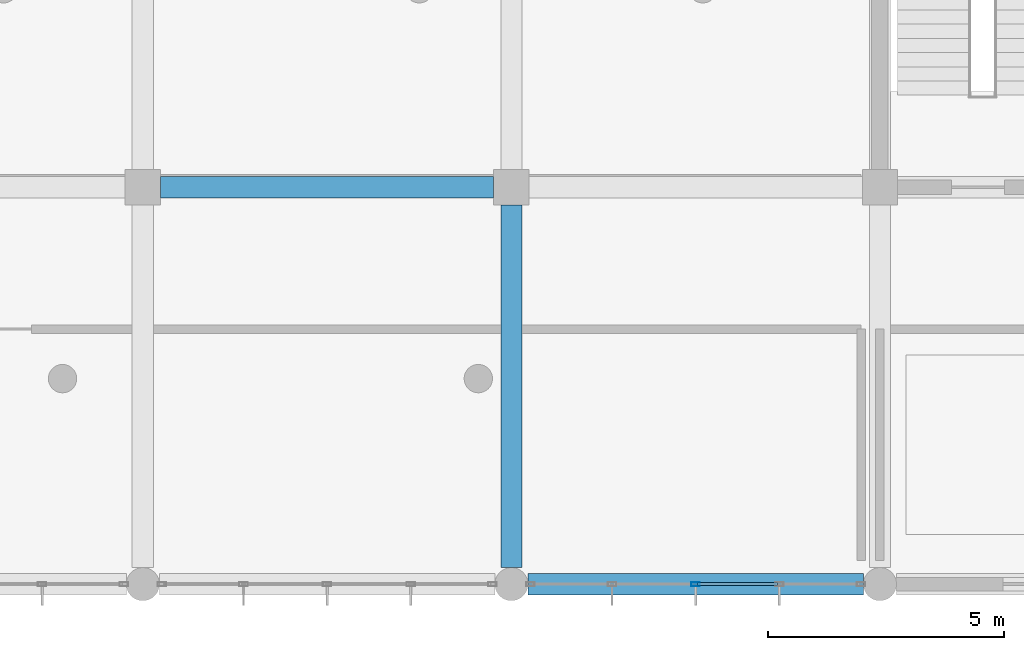
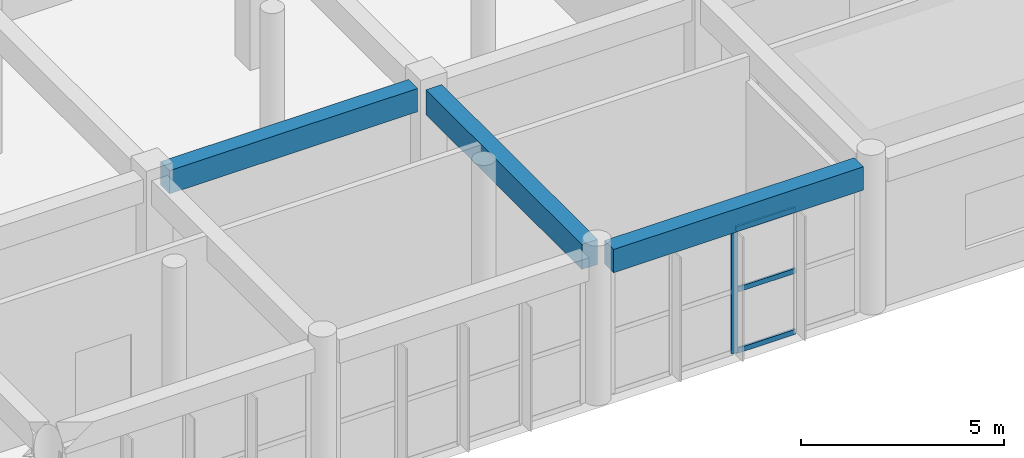
# One storey, part 11 of 167: 4 members, 3 beams, 1 element without a shape of its own.
"""IFC4 building model written with IfcOpenShell, lengths in metres."""

from ifc_helpers import new_model, si_unit, direction, frame, origin, origin_2d, place, context, subcontext, project, spatial, rectangle, hollow_rectangle, extrude, material, layer, layer_set, material_profile, profile_set, type_object, element, aggregate, save


model = new_model("IFC4")

# Units and contexts
model_context = context("Model", 3, precision=1e-05, world=origin(), true_north=direction((0.0, 1.0)))
body_context = subcontext(model_context, "Body", "Model", "MODEL_VIEW")
ifc_project = project(units=[si_unit("LENGTHUNIT", "METRE"), si_unit("AREAUNIT", "SQUARE_METRE"), si_unit("VOLUMEUNIT", "CUBIC_METRE"), si_unit("PLANEANGLEUNIT", "RADIAN"), si_unit("MASSUNIT", "GRAM", prefix="KILO")], contexts=[model_context])

# Site, building, storey
site_placement = place(None, origin())
site = spatial("IfcSite", under=ifc_project, at=site_placement, CompositionType="ELEMENT")
building_placement = place(site_placement, origin())
building = spatial("IfcBuilding", under=site, at=building_placement, Name="Zizhar Promenade General Hospital", CompositionType="ELEMENT")
storey_placement = place(building_placement, frame((0.0, 0.0, 9.60009765625)))
storey = spatial("IfcBuildingStorey", under=building, at=storey_placement, Name="L02", CompositionType="ELEMENT", Elevation=9.60009765625)

# Beams
ifc_material_1 = material(Name="Concrete C35/45", Category="concrete")
ifc_material_profile_1 = material_profile(ifc_material_1, rectangle(XDim=0.449951171875, YDim=0.699951171875, at=origin_2d()))
ifc_profile_set_1 = profile_set([ifc_material_profile_1], Name="Concrete C35/45")
beam_type_1 = type_object("IfcBeamType", Name="BM-RC-450x700", PredefinedType="BEAM", material=ifc_profile_set_1)
beam_1_placement = place(storey_placement, frame((31.574951171875, 8.39990234375, 4.119873046875), z_axis=(1.0, 0.0, 0.0), x_axis=(0.0, 1.0, 0.0)))
element("IfcBeam", 1, at=beam_1_placement, inside=storey, type_object=beam_type_1, Name="Grid Beam X L02 (4-1)", PredefinedType="BEAM", context=body_context, shape_type="SweptSolid", body=[
    extrude(rectangle(XDim=0.449951171875, YDim=0.699951171875, at=origin_2d()), origin(), (0.0, 0.0, 1.0), 7.050048828125),
])
beam_2_placement = place(storey_placement, frame((39.35009765625, 0.0, 4.119873046875), z_axis=(1.0, 0.0, 0.0), x_axis=(0.0, 1.0, 0.0)))
element("IfcBeam", 2, at=beam_2_placement, inside=storey, type_object=beam_type_1, Name="Grid Beam X L02 (5-0)", PredefinedType="BEAM", context=body_context, shape_type="SweptSolid", body=[
    extrude(rectangle(XDim=0.449951171875, YDim=0.699951171875, at=origin_2d()), origin(), (0.0, 0.0, 1.0), 7.099853515625),
])
ifc_material_2 = material(Name="Concrete C35/45", Category="concrete")
ifc_material_profile_2 = material_profile(ifc_material_2, rectangle(XDim=0.449951171875, YDim=0.75, at=origin_2d()))
ifc_profile_set_2 = profile_set([ifc_material_profile_2], Name="Concrete C35/45")
beam_type_2 = type_object("IfcBeamType", Name="BM-RC-450x750", PredefinedType="BEAM", material=ifc_profile_set_2)
beam_3_placement = place(storey_placement, frame((39.0, 0.35009765625, 4.094970703125), z_axis=(0.0, 1.0, 0.0), x_axis=(-1.0, 0.0, 0.0)))
element("IfcBeam", 3, at=beam_3_placement, inside=storey, type_object=beam_type_2, Name="Grid Beam Y L02 (5-0)", PredefinedType="BEAM", context=body_context, shape_type="SweptSolid", body=[
    extrude(rectangle(XDim=0.449951171875, YDim=0.75, at=origin_2d()), origin(), (0.0, 0.0, 1.0), 7.6748046875),
])

# Curtain wall, members
ifc_material_3 = material(Name="Anodised aluminium 6063-T6 and low-E glass", Category="aluminium")
ifc_layer = layer(ifc_material_3, 0.159912109375)
ifc_layer_set = layer_set([ifc_layer], Name="Anodised aluminium 6063-T6 and low-E glass")
curtain_wall_type = type_object("IfcCurtainWallType", Name="CW-DT-MOD1", PredefinedType="NOTDEFINED", material=ifc_layer_set)
curtain_wall_placement = place(storey_placement, origin())
curtain_wall = element("IfcCurtainWall", 4, at=curtain_wall_placement, inside=storey, type_object=curtain_wall_type, Name="Riverfront Clinical Curtain Wall L02-4", PredefinedType="NOTDEFINED")
ifc_material_4 = material(Name="Anodised aluminium 6063-T6", Category="aluminium")
ifc_material_profile_3 = material_profile(ifc_material_4, hollow_rectangle(XDim=0.080078125, YDim=0.179931640625, WallThickness=0.0048828125, at=origin_2d()))
ifc_profile_set_3 = profile_set([ifc_material_profile_3], Name="Anodised aluminium 6063-T6")
member_type_1 = type_object("IfcMemberType", Name="CWM-ALU-180x80", PredefinedType="MULLION", material=ifc_profile_set_3)
member_1_placement = place(storey_placement, frame((42.89990234375, 0.0, 0.0), z_axis=(0.0, 0.0, 1.0), x_axis=(0.0, -1.0, 0.0)))
member_1 = element("IfcMember", 5, at=member_1_placement, type_object=member_type_1, Name="CW-07 mullion 3", PredefinedType="MULLION", context=body_context, shape_type="SweptSolid", body=[
    extrude(hollow_rectangle(XDim=0.080078125, YDim=0.179931640625, WallThickness=0.0048828125, at=origin_2d()), origin(), (0.0, 0.0, 1.0), 3.72998046875),
])
ifc_material_5 = material(Name="Anodised aluminium 6063-T6", Category="aluminium")
ifc_material_profile_4 = material_profile(ifc_material_5, hollow_rectangle(XDim=0.06005859375, YDim=0.14990234375, WallThickness=0.00390625, at=origin_2d()))
ifc_profile_set_4 = profile_set([ifc_material_profile_4], Name="Anodised aluminium 6063-T6")
member_type_2 = type_object("IfcMemberType", Name="CWT-ALU-150x60", PredefinedType="USERDEFINED", material=ifc_profile_set_4)
member_2_placement = place(storey_placement, frame((44.6298828125, 0.0, 0.02978515625), z_axis=(-1.0, 0.0, 0.0), x_axis=(0.0, -1.0, 0.0)))
member_2 = element("IfcMember", 6, at=member_2_placement, type_object=member_type_2, Name="CW-07 transom 2.1", ObjectType="TRANSOM", PredefinedType="USERDEFINED", context=body_context, shape_type="SweptSolid", body=[
    extrude(hollow_rectangle(XDim=0.06005859375, YDim=0.14990234375, WallThickness=0.00390625, at=origin_2d()), origin(), (0.0, 0.0, 1.0), 1.68994140625),
])
member_3_placement = place(storey_placement, frame((44.6298828125, 0.0, 1.864990234375), z_axis=(-1.0, 0.0, 0.0), x_axis=(0.0, -1.0, 0.0)))
member_3 = element("IfcMember", 7, at=member_3_placement, type_object=member_type_2, Name="CW-07 transom 2.2", ObjectType="TRANSOM", PredefinedType="USERDEFINED", context=body_context, shape_type="SweptSolid", body=[
    extrude(hollow_rectangle(XDim=0.06005859375, YDim=0.14990234375, WallThickness=0.00390625, at=origin_2d()), origin(), (0.0, 0.0, 1.0), 1.68994140625),
])
member_4_placement = place(storey_placement, frame((44.6298828125, 0.0, 3.699951171875), z_axis=(-1.0, 0.0, 0.0), x_axis=(0.0, -1.0, 0.0)))
member_4 = element("IfcMember", 8, at=member_4_placement, type_object=member_type_2, Name="CW-07 transom 2.3", ObjectType="TRANSOM", PredefinedType="USERDEFINED", context=body_context, shape_type="SweptSolid", body=[
    extrude(hollow_rectangle(XDim=0.06005859375, YDim=0.14990234375, WallThickness=0.00390625, at=origin_2d()), origin(), (0.0, 0.0, 1.0), 1.68994140625),
])
aggregate(curtain_wall, [member_1, member_2, member_3, member_4])

save(model, "model.ifc")
